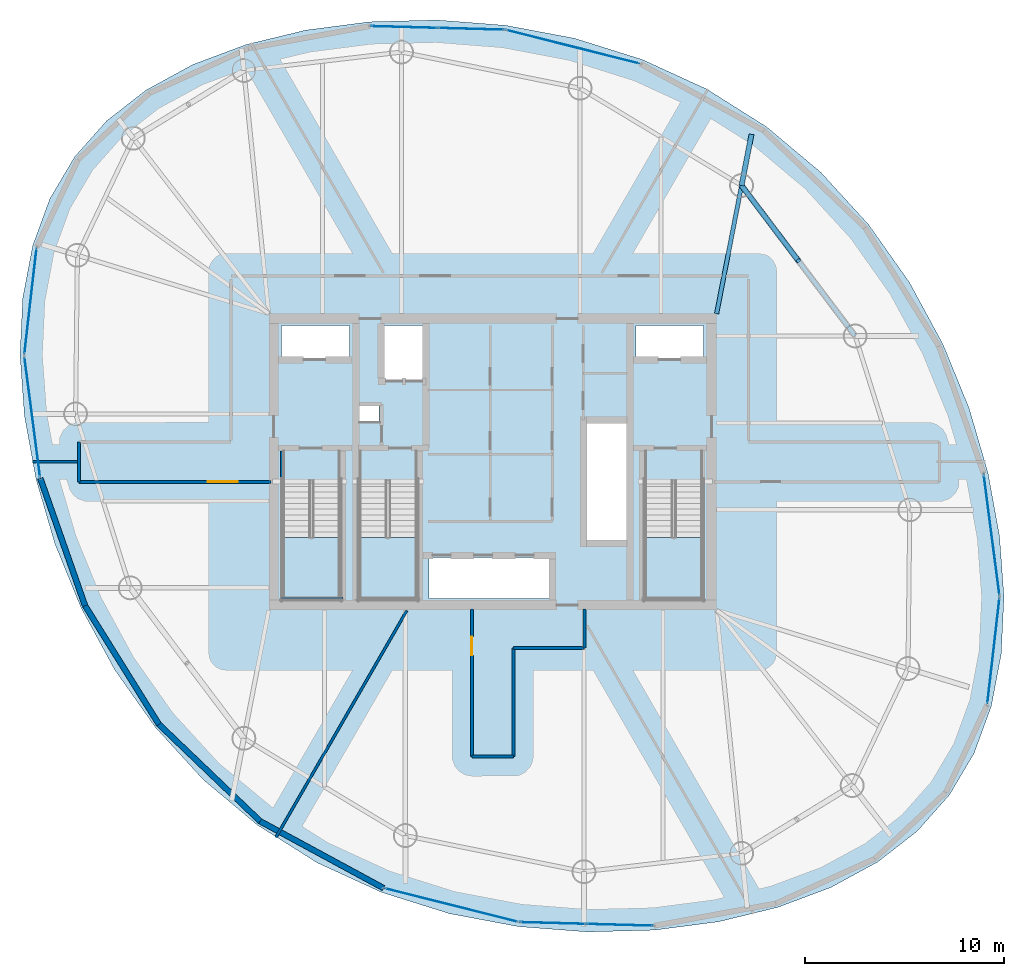
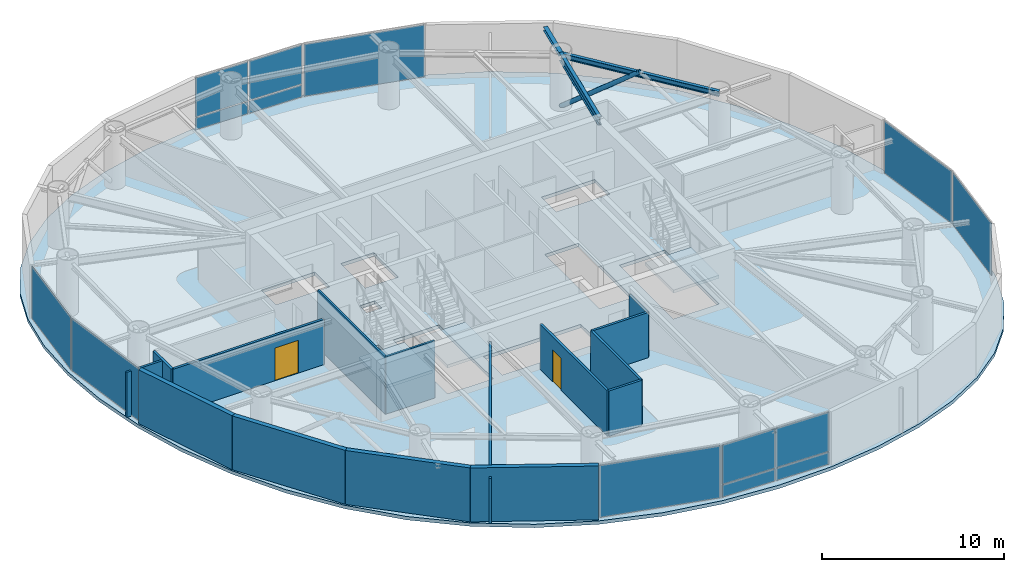
# One storey, part 13 of 20: 15 walls, 14 plates, 4 slabs, 3 beams, 2 doors, 1 member, 2 openings, 11 elements without a shape of their own.
"""IFC4 building model written with IfcOpenShell, lengths in metres."""

from ifc_helpers import new_model, si_unit, direction, frame, frame_2d, origin, origin_2d, place, context, subcontext, project, spatial, polyline, rectangle, hollow_circle, i_section, outline, extrude, material, layer, layer_set, material_profile, profile_set, type_object, element, fill, aggregate, save


model = new_model("IFC4")

# Units and contexts
model_context = context("Model", 3, precision=1e-05, world=origin(), true_north=direction((0.0, 1.0)))
body_context = subcontext(model_context, "Body", "Model", "MODEL_VIEW")
ifc_project = project(units=[si_unit("LENGTHUNIT", "METRE"), si_unit("AREAUNIT", "SQUARE_METRE"), si_unit("VOLUMEUNIT", "CUBIC_METRE"), si_unit("PLANEANGLEUNIT", "RADIAN"), si_unit("MASSUNIT", "GRAM", prefix="KILO")], contexts=[model_context])

# Site, building, storey
site_placement = place(None, origin())
site = spatial("IfcSite", under=ifc_project, at=site_placement, CompositionType="ELEMENT")
building_placement = place(site_placement, origin())
building = spatial("IfcBuilding", under=site, at=building_placement, Name="Bramvorn Convention Spire", CompositionType="ELEMENT")
storey_placement = place(building_placement, frame((0.0, 0.0, 175.050048828125)))
storey = spatial("IfcBuildingStorey", under=building, at=storey_placement, Name="L44", CompositionType="ELEMENT", Elevation=175.050048828125)

# Beams
ifc_material_1 = material(Name="Steel CSA G40.21 Grade 350 (350W)", Category="steel")
ifc_material_profile_1 = material_profile(ifc_material_1, i_section(OverallWidth=0.25390625, OverallDepth=0.2529296875, WebThickness=0.008544921875, FlangeThickness=0.01416015625, FilletRadius=0.011962890625, at=origin_2d()))
ifc_profile_set_1 = profile_set([ifc_material_profile_1], Name="Steel CSA G40.21 Grade 350 (350W) - W250X73")
beam_type_1 = type_object("IfcBeamType", Name="BM-W250X73", PredefinedType="BEAM", material=ifc_profile_set_1)
beam_1_placement = place(storey_placement, frame((50.501953125, 39.885009765625, 3.493408203125), z_axis=(0.191044176566, 0.981581439617, 0.0), x_axis=(-0.981581439617, 0.191044176566, 0.0)))
element("IfcBeam", 1, at=beam_1_placement, inside=storey, type_object=beam_type_1, Name="L44 slab-edge cantilever tip beam MC05", PredefinedType="BEAM", context=body_context, shape_type="SweptSolid", body=[
    extrude(i_section(OverallWidth=0.25390625, OverallDepth=0.2529296875, WebThickness=0.008544921875, FlangeThickness=0.01416015625, FilletRadius=0.011962890625, at=origin_2d()), origin(), (0.0, 0.0, 1.0), 2.62109375),
])
ifc_material_profile_2 = material_profile(ifc_material_1, i_section(OverallWidth=0.205078125, OverallDepth=0.35400390625, WebThickness=0.009521484375, FlangeThickness=0.016845703125, FilletRadius=0.014892578125, at=origin_2d()))
ifc_profile_set_2 = profile_set([ifc_material_profile_2], Name="Steel CSA G40.21 Grade 350 (350W) - W360X79")
beam_type_2 = type_object("IfcBeamType", Name="BM-W360X79", PredefinedType="JOIST", material=ifc_profile_set_2)
beam_2_placement = place(storey_placement, frame((56.21044921875, 32.327392578125, 3.44287109375), z_axis=(-0.602718581414, 0.797953827999, 0.0), x_axis=(-0.797953827999, -0.602718581414, 0.0)))
element("IfcBeam", 2, at=beam_2_placement, inside=storey, type_object=beam_type_2, Name="L44 mega-column ring beam 04", PredefinedType="JOIST", context=body_context, shape_type="SweptSolid", body=[
    extrude(i_section(OverallWidth=0.205078125, OverallDepth=0.35400390625, WebThickness=0.009521484375, FlangeThickness=0.016845703125, FilletRadius=0.014892578125, at=origin_2d()), origin(), (0.0, 0.0, 1.0), 9.47119140625),
])
ifc_material_profile_3 = material_profile(ifc_material_1, i_section(OverallWidth=0.2119140625, OverallDepth=0.5439453125, WebThickness=0.01318359375, FlangeThickness=0.021240234375, FilletRadius=0.01904296875, at=origin_2d()))
ifc_profile_set_3 = profile_set([ifc_material_profile_3], Name="Steel CSA G40.21 Grade 350 (350W) - W530X123")
beam_type_3 = type_object("IfcBeamType", Name="BM-W530X123", PredefinedType="BEAM", material=ifc_profile_set_3)
beam_3_placement = place(storey_placement, frame((49.25, 33.449951171875, 3.347900390625), z_axis=(0.190971329886, 0.981595614885, 0.0), x_axis=(-0.981595614885, 0.190971329886, 0.0)))
element("IfcBeam", 3, at=beam_3_placement, inside=storey, type_object=beam_type_3, Name="L44 radial floor girder MC05", PredefinedType="BEAM", context=body_context, shape_type="SweptSolid", body=[
    extrude(i_section(OverallWidth=0.2119140625, OverallDepth=0.5439453125, WebThickness=0.01318359375, FlangeThickness=0.021240234375, FilletRadius=0.01904296875, at=origin_2d()), origin(), (0.0, 0.0, 1.0), 6.5556640625),
])

# Member
ifc_material_profile_4 = material_profile(ifc_material_1, hollow_circle(Radius=0.136474609375, WallThickness=0.0126953125, at=origin_2d()))
ifc_profile_set_4 = profile_set([ifc_material_profile_4], Name="Steel CSA G40.21 Grade 350 (350W) - CHS273X13")
member_type = type_object("IfcMemberType", Name="MBR-CHS273X13", PredefinedType="BRACE", material=ifc_profile_set_4)
member_placement = place(storey_placement, frame((50.501953125, 39.885009765625, 0.0), z_axis=(0.478846711924, -0.633956839206, 0.607292806235), x_axis=(0.797953827999, 0.602718581414, 0.0)))
element("IfcMember", 4, at=member_placement, inside=storey, type_object=member_type, Name="L44 perimeter Gothic lancet brace 4B", PredefinedType="BRACE", context=body_context, shape_type="SweptSolid", body=[
    extrude(hollow_circle(Radius=0.136474609375, WallThickness=0.0126953125, at=origin_2d()), origin(), (0.0, 0.0, 1.0), 5.960693359375),
])

# Curtain wall, plate
ifc_material_2 = material(Name="Anodised Bronze Unitised Curtain Wall", Category="aluminium")
ifc_layer_1 = layer(ifc_material_2, 0.179931640625)
ifc_layer_set_1 = layer_set([ifc_layer_1], Name="Anodised Bronze Unitised Curtain Wall - CW-OFF-FRIT")
curtain_wall_type = type_object("IfcCurtainWallType", Name="CW-OFF-FRIT", PredefinedType="USERDEFINED", material=ifc_layer_set_1)
curtain_wall_1_placement = place(storey_placement, origin())
curtain_wall_1 = element("IfcCurtainWall", 5, at=curtain_wall_1_placement, inside=storey, type_object=curtain_wall_type, Name="L44 fritted glass curtain wall 02", ObjectType="UNITISED CURTAIN WALL", PredefinedType="USERDEFINED")
ifc_material_3 = material(Name="Laminated Low-E Glass (Triple IGU Solar Bronze Frit 28%)", Category="glass")
ifc_layer_2 = layer(ifc_material_3, 0.0400390625)
ifc_layer_set_2 = layer_set([ifc_layer_2], Name="Laminated Low-E Glass (Triple IGU Solar Bronze Frit 28%) - PNL-IGU-3")
plate_type = type_object("IfcPlateType", Name="PNL-IGU-3", PredefinedType="CURTAIN_PANEL", material=ifc_layer_set_2)
plate_1_placement = place(storey_placement, frame((63.159423828125, 16.521728515625, 0.06005859375), z_axis=(0.0, 0.0, 1.0), x_axis=(-0.114007982536, -0.993479833675, 0.0)))
plate_1 = element("IfcPlate", 6, at=plate_1_placement, type_object=plate_type, Name="CW3 panel 1.1", PredefinedType="CURTAIN_PANEL", context=body_context, shape_type="SweptSolid", body=[
    extrude(rectangle(XDim=5.344482421875, YDim=0.028076171875, at=origin_2d()), origin(), (0.0, 0.0, 1.0), 3.5),
])
aggregate(curtain_wall_1, [plate_1])

curtain_wall_2_placement = place(storey_placement, origin())
curtain_wall_2 = element("IfcCurtainWall", 7, at=curtain_wall_2_placement, inside=storey, type_object=curtain_wall_type, Name="L44 fritted glass curtain wall 03", ObjectType="UNITISED CURTAIN WALL", PredefinedType="USERDEFINED")
plate_2_placement = place(storey_placement, frame((63.06884765625, 22.323486328125, 0.06005859375), z_axis=(0.0, 0.0, 1.0), x_axis=(0.129158605696, -0.991623948165, 0.0)))
plate_2 = element("IfcPlate", 8, at=plate_2_placement, type_object=plate_type, Name="CW3 panel 1.1", PredefinedType="CURTAIN_PANEL", context=body_context, shape_type="SweptSolid", body=[
    extrude(rectangle(XDim=6.1064453125, YDim=0.028076171875, at=origin_2d()), origin(), (0.0, 0.0, 1.0), 3.5),
])
aggregate(curtain_wall_2, [plate_2])

curtain_wall_3_placement = place(storey_placement, origin())
curtain_wall_3 = element("IfcCurtainWall", 9, at=curtain_wall_3_placement, inside=storey, type_object=curtain_wall_type, Name="L44 fritted glass curtain wall 08", ObjectType="UNITISED CURTAIN WALL", PredefinedType="USERDEFINED")
plate_3_placement = place(storey_placement, frame((42.0224609375, 46.85302734375, 0.06005859375), z_axis=(0.0, 0.0, 1.0), x_axis=(0.969829036049, -0.24378605546, 0.0)))
plate_3 = element("IfcPlate", 10, at=plate_3_placement, type_object=plate_type, Name="CW3 panel 1.1", PredefinedType="CURTAIN_PANEL", context=body_context, shape_type="SweptSolid", body=[
    extrude(rectangle(XDim=6.897705078125, YDim=0.028076171875, at=origin_2d()), origin(), (0.0, 0.0, 1.0), 3.5),
])
aggregate(curtain_wall_3, [plate_3])

# Curtain wall, plates
curtain_wall_4_placement = place(storey_placement, origin())
curtain_wall_4 = element("IfcCurtainWall", 11, at=curtain_wall_4_placement, inside=storey, type_object=curtain_wall_type, Name="L44 fritted glass curtain wall 09", ObjectType="UNITISED CURTAIN WALL", PredefinedType="USERDEFINED")
plate_4_placement = place(storey_placement, frame((33.548095703125, 47.845458984375, 0.059814453125), z_axis=(0.0, 0.0, 1.0), x_axis=(0.999635754842, -0.026988101849, 0.0)))
plate_4 = element("IfcPlate", 12, at=plate_4_placement, type_object=plate_type, Name="CW3 panel 1.1", PredefinedType="CURTAIN_PANEL", context=body_context, shape_type="SweptSolid", body=[
    extrude(rectangle(XDim=3.30224609375, YDim=0.028076171875, at=origin_2d()), origin(), (0.0, 0.0, 1.0), 0.81005859375),
])
plate_5_placement = place(storey_placement, frame((33.548095703125, 47.845458984375, 0.929931640625), z_axis=(0.0, 0.0, 1.0), x_axis=(0.999635754842, -0.026988101849, 0.0)))
plate_5 = element("IfcPlate", 13, at=plate_5_placement, type_object=plate_type, Name="CW3 panel 1.2", PredefinedType="CURTAIN_PANEL", context=body_context, shape_type="SweptSolid", body=[
    extrude(rectangle(XDim=3.30224609375, YDim=0.028076171875, at=origin_2d()), origin(), (0.0, 0.0, 1.0), 2.6298828125),
])
plate_6_placement = place(storey_placement, frame((36.908935546875, 47.754638671875, 0.059814453125), z_axis=(0.0, 0.0, 1.0), x_axis=(0.999635754842, -0.026988101849, 0.0)))
plate_6 = element("IfcPlate", 14, at=plate_6_placement, type_object=plate_type, Name="CW3 panel 2.1", PredefinedType="CURTAIN_PANEL", context=body_context, shape_type="SweptSolid", body=[
    extrude(rectangle(XDim=3.30224609375, YDim=0.028076171875, at=origin_2d()), origin(), (0.0, 0.0, 1.0), 0.81005859375),
])
plate_7_placement = place(storey_placement, frame((36.908935546875, 47.754638671875, 0.929931640625), z_axis=(0.0, 0.0, 1.0), x_axis=(0.999635754842, -0.026988101849, 0.0)))
plate_7 = element("IfcPlate", 15, at=plate_7_placement, type_object=plate_type, Name="CW3 panel 2.2", PredefinedType="CURTAIN_PANEL", context=body_context, shape_type="SweptSolid", body=[
    extrude(rectangle(XDim=3.30224609375, YDim=0.028076171875, at=origin_2d()), origin(), (0.0, 0.0, 1.0), 2.6298828125),
])
aggregate(curtain_wall_4, [plate_4, plate_5, plate_6, plate_7])

# Curtain wall, plate
curtain_wall_5_placement = place(storey_placement, origin())
curtain_wall_5 = element("IfcCurtainWall", 16, at=curtain_wall_5_placement, inside=storey, type_object=curtain_wall_type, Name="L44 fritted glass curtain wall 14", ObjectType="UNITISED CURTAIN WALL", PredefinedType="USERDEFINED")
plate_8_placement = place(storey_placement, frame((14.77978515625, 34.06396484375, 0.06005859375), z_axis=(0.0, 0.0, 1.0), x_axis=(0.114007982536, 0.993479833675, 0.0)))
plate_8 = element("IfcPlate", 17, at=plate_8_placement, type_object=plate_type, Name="CW3 panel 1.1", PredefinedType="CURTAIN_PANEL", context=body_context, shape_type="SweptSolid", body=[
    extrude(rectangle(XDim=5.344482421875, YDim=0.028076171875, at=origin_2d()), origin(), (0.0, 0.0, 1.0), 3.5),
])
aggregate(curtain_wall_5, [plate_8])

curtain_wall_6_placement = place(storey_placement, origin())
curtain_wall_6 = element("IfcCurtainWall", 18, at=curtain_wall_6_placement, inside=storey, type_object=curtain_wall_type, Name="L44 fritted glass curtain wall 15", ObjectType="UNITISED CURTAIN WALL", PredefinedType="USERDEFINED")
plate_9_placement = place(storey_placement, frame((14.870361328125, 28.262451171875, 0.06005859375), z_axis=(0.0, 0.0, 1.0), x_axis=(-0.129160662697, 0.991623680239, 0.0)))
plate_9 = element("IfcPlate", 19, at=plate_9_placement, type_object=plate_type, Name="CW3 panel 1.1", PredefinedType="CURTAIN_PANEL", context=body_context, shape_type="SweptSolid", body=[
    extrude(rectangle(XDim=6.1064453125, YDim=0.028076171875, at=origin_2d()), origin(), (0.0, 0.0, 1.0), 3.5),
])
aggregate(curtain_wall_6, [plate_9])

curtain_wall_7_placement = place(storey_placement, origin())
curtain_wall_7 = element("IfcCurtainWall", 20, at=curtain_wall_7_placement, inside=storey, type_object=curtain_wall_type, Name="L44 fritted glass curtain wall 20", ObjectType="UNITISED CURTAIN WALL", PredefinedType="USERDEFINED")
plate_10_placement = place(storey_placement, frame((35.916748046875, 3.73291015625, 0.06005859375), z_axis=(0.0, 0.0, 1.0), x_axis=(-0.969829036049, 0.24378605546, 0.0)))
plate_10 = element("IfcPlate", 21, at=plate_10_placement, type_object=plate_type, Name="CW3 panel 1.1", PredefinedType="CURTAIN_PANEL", context=body_context, shape_type="SweptSolid", body=[
    extrude(rectangle(XDim=6.897705078125, YDim=0.028076171875, at=origin_2d()), origin(), (0.0, 0.0, 1.0), 3.5),
])
aggregate(curtain_wall_7, [plate_10])

# Curtain wall, plates
curtain_wall_8_placement = place(storey_placement, origin())
curtain_wall_8 = element("IfcCurtainWall", 22, at=curtain_wall_8_placement, inside=storey, type_object=curtain_wall_type, Name="L44 fritted glass curtain wall 21", ObjectType="UNITISED CURTAIN WALL", PredefinedType="USERDEFINED")
plate_11_placement = place(storey_placement, frame((44.39111328125, 2.740478515625, 0.059814453125), z_axis=(0.0, 0.0, 1.0), x_axis=(-0.999635754842, 0.026988101849, 0.0)))
plate_11 = element("IfcPlate", 23, at=plate_11_placement, type_object=plate_type, Name="CW3 panel 1.1", PredefinedType="CURTAIN_PANEL", context=body_context, shape_type="SweptSolid", body=[
    extrude(rectangle(XDim=3.30224609375, YDim=0.028076171875, at=origin_2d()), origin(), (0.0, 0.0, 1.0), 0.81005859375),
])
plate_12_placement = place(storey_placement, frame((44.39111328125, 2.740478515625, 0.929931640625), z_axis=(0.0, 0.0, 1.0), x_axis=(-0.999635754842, 0.026988101849, 0.0)))
plate_12 = element("IfcPlate", 24, at=plate_12_placement, type_object=plate_type, Name="CW3 panel 1.2", PredefinedType="CURTAIN_PANEL", context=body_context, shape_type="SweptSolid", body=[
    extrude(rectangle(XDim=3.30224609375, YDim=0.028076171875, at=origin_2d()), origin(), (0.0, 0.0, 1.0), 2.6298828125),
])
plate_13_placement = place(storey_placement, frame((41.0302734375, 2.831298828125, 0.059814453125), z_axis=(0.0, 0.0, 1.0), x_axis=(-0.999635754842, 0.026988101849, 0.0)))
plate_13 = element("IfcPlate", 25, at=plate_13_placement, type_object=plate_type, Name="CW3 panel 2.1", PredefinedType="CURTAIN_PANEL", context=body_context, shape_type="SweptSolid", body=[
    extrude(rectangle(XDim=3.30224609375, YDim=0.028076171875, at=origin_2d()), origin(), (0.0, 0.0, 1.0), 0.81005859375),
])
plate_14_placement = place(storey_placement, frame((41.0302734375, 2.831298828125, 0.929931640625), z_axis=(0.0, 0.0, 1.0), x_axis=(-0.999635754842, 0.026988101849, 0.0)))
plate_14 = element("IfcPlate", 26, at=plate_14_placement, type_object=plate_type, Name="CW3 panel 2.2", PredefinedType="CURTAIN_PANEL", context=body_context, shape_type="SweptSolid", body=[
    extrude(rectangle(XDim=3.30224609375, YDim=0.028076171875, at=origin_2d()), origin(), (0.0, 0.0, 1.0), 2.6298828125),
])
aggregate(curtain_wall_8, [plate_11, plate_12, plate_13, plate_14])

# Stair, slab
ifc_material_4 = material(Name="Concrete C40/50 Precast Stair", Category="concrete")
stair_type = type_object("IfcStairType", Name="ST-TOWER-1550", PredefinedType="HALF_TURN_STAIR", material=ifc_material_4)
stair_1_placement = place(storey_placement, origin())
stair_1 = element("IfcStair", 27, at=stair_1_placement, inside=storey, type_object=stair_type, Name="L44 Protected Exit Stair ST1", PredefinedType="HALF_TURN_STAIR")
ifc_material_5 = material(Name="Concrete C40/50 Stair Landing", Category="concrete")
ifc_layer_3 = layer(ifc_material_5, 0.219970703125)
ifc_layer_set_3 = layer_set([ifc_layer_3], Name="Concrete C40/50 Stair Landing - SLB-STAIR-LANDING")
slab_type_1 = type_object("IfcSlabType", Name="SLB-STAIR-LANDING", PredefinedType="LANDING", material=ifc_layer_set_3)
slab_1_placement = place(storey_placement, frame((0.0, 0.0, 1.724853515625)))
slab_1 = element("IfcSlab", 28, at=slab_1_placement, type_object=slab_type_1, Name="ST1 landing 1", PredefinedType="LANDING", context=body_context, shape_type="SweptSolid", body=[
    extrude(outline(polyline([(27.449951171875, 22.199951171875), (27.449951171875, 19.10009765625), (30.35009765625, 19.10009765625), (30.35009765625, 22.199951171875), (27.449951171875, 22.199951171875)])), origin(), (0.0, 0.0, 1.0), 0.2001953125),
])
aggregate(stair_1, [slab_1])

stair_2_placement = place(storey_placement, origin())
stair_2 = element("IfcStair", 29, at=stair_2_placement, inside=storey, type_object=stair_type, Name="L44 Protected Exit Stair ST2", PredefinedType="HALF_TURN_STAIR")
slab_2_placement = place(storey_placement, frame((0.0, 0.0, 1.724853515625)))
slab_2 = element("IfcSlab", 30, at=slab_2_placement, type_object=slab_type_1, Name="ST2 landing 1", PredefinedType="LANDING", context=body_context, shape_type="SweptSolid", body=[
    extrude(outline(polyline([(45.64990234375, 22.199951171875), (45.64990234375, 19.10009765625), (48.550048828125, 19.10009765625), (48.550048828125, 22.199951171875), (45.64990234375, 22.199951171875)])), origin(), (0.0, 0.0, 1.0), 0.2001953125),
])
aggregate(stair_2, [slab_2])

stair_3_placement = place(storey_placement, origin())
stair_3 = element("IfcStair", 31, at=stair_3_placement, inside=storey, type_object=stair_type, Name="L44 Protected Exit Stair ST3", PredefinedType="HALF_TURN_STAIR")
slab_3_placement = place(storey_placement, frame((0.0, 0.0, 1.724853515625)))
slab_3 = element("IfcSlab", 32, at=slab_3_placement, type_object=slab_type_1, Name="ST3 landing 1", PredefinedType="LANDING", context=body_context, shape_type="SweptSolid", body=[
    extrude(outline(polyline([(31.300048828125, 22.199951171875), (31.300048828125, 19.10009765625), (34.199951171875, 19.10009765625), (34.199951171875, 22.199951171875), (31.300048828125, 22.199951171875)])), origin(), (0.0, 0.0, 1.0), 0.2001953125),
])
aggregate(stair_3, [slab_3])

# Slab
ifc_material_6 = material(Name="Concrete C40/50", Category="concrete")
ifc_layer_4 = layer(ifc_material_6, 0.22998046875)
ifc_layer_set_4 = layer_set([ifc_layer_4], Name="Concrete C40/50 - SLB-Z3-230")
slab_type_2 = type_object("IfcSlabType", Name="SLB-Z3-230", PredefinedType="FLOOR", material=ifc_layer_set_4)
slab_4_placement = place(storey_placement, frame((0.0, 0.0, -0.22998046875)))
element("IfcSlab", 33, at=slab_4_placement, inside=storey, type_object=slab_type_2, Name="L44 tower floor slab", PredefinedType="FLOOR", context=body_context, shape_type="SweptSolid", body=[
    extrude(outline(polyline([(60.947021484375, 9.266845703125), (62.185302734375, 11.35986328125), (63.05078125, 13.72509765625), (63.5498046875, 16.35009765625), (63.68701171875, 19.20947265625), (63.465576171875, 22.260498046875), (62.884033203125, 25.444580078125), (61.938720703125, 28.688232421875), (60.624755859375, 31.9072265625), (58.940185546875, 35.01318359375), (56.8896484375, 37.919189453125), (54.487060546875, 40.547119140625), (51.760009765625, 42.832763671875), (48.749755859375, 44.730712890625), (45.51318359375, 46.21484375), (42.119384765625, 47.279052734375), (38.6474609375, 47.933349609375), (35.1806640625, 48.200439453125), (31.803466796875, 48.10888671875), (28.593994140625, 47.689208984375), (25.62109375, 46.967529296875), (22.94091796875, 45.962646484375), (20.593994140625, 44.685302734375), (18.606689453125, 43.137939453125), (16.9921875, 41.319091796875), (15.75390625, 39.22607421875), (14.88818359375, 36.86083984375), (14.389404296875, 34.23583984375), (14.252197265625, 31.37646484375), (14.4736328125, 28.325439453125), (15.05517578125, 25.141357421875), (16.00048828125, 21.897705078125), (17.314453125, 18.6787109375), (18.998779296875, 15.57275390625), (21.049560546875, 12.666748046875), (23.4521484375, 10.038818359375), (26.17919921875, 7.753173828125), (29.189453125, 5.855224609375), (32.42578125, 4.37109375), (35.819580078125, 3.306884765625), (39.291748046875, 2.652587890625), (42.75830078125, 2.385498046875), (46.1357421875, 2.476806640625), (49.34521484375, 2.896484375), (52.31787109375, 3.618408203125), (54.998291015625, 4.623291015625), (57.34521484375, 5.900634765625), (59.33251953125, 7.447998046875), (60.947021484375, 9.266845703125)]), holes=[polyline([(27.449951171875, 25.050048828125), (27.449951171875, 19.10009765625), (30.35009765625, 19.10009765625), (30.35009765625, 25.050048828125), (27.449951171875, 25.050048828125)]), polyline([(45.64990234375, 25.050048828125), (45.64990234375, 19.10009765625), (48.550048828125, 19.10009765625), (48.550048828125, 25.050048828125), (45.64990234375, 25.050048828125)]), polyline([(31.300048828125, 25.050048828125), (31.300048828125, 19.10009765625), (34.199951171875, 19.10009765625), (34.199951171875, 25.050048828125), (31.300048828125, 25.050048828125)]), polyline([(27.39990234375, 31.219970703125), (30.800048828125, 31.219970703125), (30.800048828125, 32.85009765625), (27.39990234375, 32.85009765625), (27.39990234375, 31.219970703125)]), polyline([(45.199951171875, 31.219970703125), (48.60009765625, 31.219970703125), (48.60009765625, 32.85009765625), (45.199951171875, 32.85009765625), (45.199951171875, 31.219970703125)]), polyline([(32.449951171875, 30.14990234375), (34.56005859375, 30.14990234375), (34.56005859375, 32.85009765625), (32.449951171875, 32.85009765625), (32.449951171875, 30.14990234375)]), polyline([(34.800048828125, 19.14990234375), (40.97998046875, 19.14990234375), (40.97998046875, 21.199951171875), (34.800048828125, 21.199951171875), (34.800048828125, 19.14990234375)]), polyline([(42.6201171875, 22.0), (44.75, 22.0), (44.75, 28.0), (42.6201171875, 28.0), (42.6201171875, 22.0)]), polyline([(31.320068359375, 28.02001953125), (32.280029296875, 28.02001953125), (32.280029296875, 28.820068359375), (31.320068359375, 28.820068359375), (31.320068359375, 28.02001953125)])]), origin(), (0.0, 0.0, 1.0), 0.22998046875),
])

# Walls
ifc_material_7 = material(Name="Precast Concrete C40/50 with Bronze Terracotta Rainscreen", Category="masonry")
ifc_layer_5 = layer(ifc_material_7, 0.300048828125)
ifc_layer_set_5 = layer_set([ifc_layer_5], Name="Precast Concrete C40/50 with Bronze Terracotta Rainscreen - WL-EXT-BRONZE-300")
wall_type_1 = type_object("IfcWallType", Name="WL-EXT-BRONZE-300", PredefinedType="SOLIDWALL", material=ifc_layer_set_5)
wall_1_placement = place(storey_placement, frame((17.52001953125, 18.77392578125, 0.0), z_axis=(0.0, 0.0, 1.0), x_axis=(-0.331279949487, 0.94353250875, 0.0)))
element("IfcWall", 34, at=wall_1_placement, inside=storey, type_object=wall_type_1, Name="L44 expressed bronze Gothic lancet pier wall 16", PredefinedType="SOLIDWALL", context=body_context, shape_type="SweptSolid", body=[
    extrude(rectangle(XDim=6.784423828125, YDim=0.280029296875, at=frame_2d((3.39208984375, 0.0))), origin(), (0.0, 0.0, 1.0), 3.619873046875),
])
wall_2_placement = place(storey_placement, frame((21.2294921875, 12.81689453125, 0.0), z_axis=(0.0, 0.0, 1.0), x_axis=(-0.528597240485, 0.848872756867, 0.0)))
element("IfcWall", 35, at=wall_2_placement, inside=storey, type_object=wall_type_1, Name="L44 expressed bronze Gothic lancet pier wall 17", PredefinedType="SOLIDWALL", context=body_context, shape_type="SweptSolid", body=[
    extrude(rectangle(XDim=7.017578125, YDim=0.280029296875, at=frame_2d((3.5087890625, 0.0))), origin(), (0.0, 0.0, 1.0), 3.619873046875),
])
for number, where, z_axis, x_axis, name in (
    (36, (26.3193359375, 7.945068359375, 0.0), (0.0, 0.0, 1.0), (-0.722409280023, 0.691465712915, 0.0), "L44 expressed bronze Gothic lancet pier wall 18"),
    (37, (32.513916015625, 4.588134765625, 0.0), (0.0, 0.0, 1.0), (-0.879200648398, 0.476451697295, 0.0), "L44 expressed bronze Gothic lancet pier wall 19"),
):
    element("IfcWall", number, at=place(storey_placement, frame(where, z_axis=z_axis, x_axis=x_axis)), inside=storey, type_object=wall_type_1, Name=name, PredefinedType="SOLIDWALL", context=body_context, shape_type="SweptSolid", body=[
        extrude(rectangle(XDim=7.045654296875, YDim=0.280029296875, at=frame_2d((3.52294921875, 0.0))), origin(), (0.0, 0.0, 1.0), 3.619873046875),
    ])
ifc_material_8 = material(Name="Metal-Stud Demountable Office Partition", Category="gypsum")
ifc_layer_6 = layer(ifc_material_8, 0.1298828125)
ifc_layer_set_6 = layer_set([ifc_layer_6], Name="Metal-Stud Demountable Office Partition - WL-PART-130")
wall_type_2 = type_object("IfcWallType", Name="WL-PART-130", PredefinedType="PARTITIONING", material=ifc_layer_set_6)
wall_3_placement = place(storey_placement, frame((17.255859375, 26.0, 0.0), z_axis=(0.0, 0.0, 1.0), x_axis=(-1.0, 0.0, 0.0)))
element("IfcWall", 38, at=wall_3_placement, inside=storey, type_object=wall_type_2, Name="L44 Tenant suite partition 4", PredefinedType="PARTITIONING", context=body_context, shape_type="SweptSolid", body=[
    extrude(rectangle(XDim=2.387939453125, YDim=0.1298828125, at=frame_2d((1.19384765625, 0.0))), origin(), (0.0, 0.0, 1.0), 3.034912109375),
])
wall_4_placement = place(storey_placement, frame((33.687255859375, 18.530029296875, 0.0), z_axis=(0.0, 0.0, 1.0), x_axis=(-0.500005024956, -0.866022502605, 0.0)))
element("IfcWall", 39, at=wall_4_placement, inside=storey, type_object=wall_type_2, Name="L44 Tenant suite partition 5", PredefinedType="PARTITIONING", context=body_context, shape_type="SweptSolid", body=[
    extrude(rectangle(XDim=13.162841796875, YDim=0.1298828125, at=frame_2d((6.58154296875, 0.0))), origin(), (0.0, 0.0, 1.0), 3.034912109375),
])

# Wall, opening, door
ifc_material_9 = material(Name="Acoustic Metal-Stud Tenant/Corridor Partition", Category="gypsum")
ifc_layer_7 = layer(ifc_material_9, 0.14990234375)
ifc_layer_set_7 = layer_set([ifc_layer_7], Name="Acoustic Metal-Stud Tenant/Corridor Partition - WL-PART-150")
wall_type_3 = type_object("IfcWallType", Name="WL-PART-150", PredefinedType="PARTITIONING", material=ifc_layer_set_7)
wall_5_placement = place(storey_placement, frame((17.2138671875, 25.0, 0.0), z_axis=(0.0, 0.0, 1.0), x_axis=(1.0, 0.0, 0.0)))
wall_5 = element("IfcWall", 40, at=wall_5_placement, inside=storey, type_object=wall_type_3, Name="L44 West wing spine south wall", PredefinedType="PARTITIONING", context=body_context, shape_type="SweptSolid", body=[
    extrude(rectangle(XDim=9.63623046875, YDim=0.14990234375, at=frame_2d((4.818115234375, 0.0))), origin(), (0.0, 0.0, 1.0), 3.034912109375),
])
opening_1_placement = place(wall_5_placement, frame((6.477294921875, 0.0, 0.0)))
opening_1 = element("IfcOpeningElement", 41, at=opening_1_placement, cuts=wall_5, Name="Opening DC-150", PredefinedType="OPENING", context=body_context, shape_type="SweptSolid", body=[
    extrude(rectangle(XDim=1.5, YDim=2.199951171875, at=frame_2d((0.75, 1.10009765625))), frame((0.0, 0.0849609375, 0.0), z_axis=(0.0, -1.0, 0.0), x_axis=(1.0, 0.0, 0.0)), (0.0, 0.0, 1.0), 0.169921875),
])
ifc_material_10 = material(Name="Double-Leaf Smoke-Control Corridor Door", Category="wood")
door_type_1 = type_object("IfcDoorType", Name="DR-COR-1500", OperationType="NOTDEFINED", PredefinedType="DOOR", material=ifc_material_10)
door_1_placement = place(opening_1_placement, origin())
door_1 = element("IfcDoor", 42, at=door_1_placement, inside=storey, type_object=door_type_1, Name="L44 Open-Plan Design Office D 4 door", OperationType="DOUBLE_DOOR_SINGLE_SWING", OverallHeight=2.199951171875, OverallWidth=1.5, PredefinedType="DOOR", context=body_context, shape_type="SweptSolid", body=[
    extrude(rectangle(XDim=1.5, YDim=2.199951171875, at=frame_2d((0.75, 1.10009765625))), frame((0.0, 0.02490234375, 0.0), z_axis=(0.0, -1.0, 0.0), x_axis=(1.0, 0.0, 0.0)), (0.0, 0.0, 1.0), 0.050048828125),
])
fill(opening_1, door_1)

# Wall
wall_6_placement = place(storey_placement, frame((17.2138671875, 25.0, 0.0), z_axis=(0.0, 0.0, 1.0), x_axis=(0.0, 1.0, 0.0)))
element("IfcWall", 43, at=wall_6_placement, inside=storey, type_object=wall_type_3, Name="L44 West wing spine end wall", PredefinedType="PARTITIONING", context=body_context, shape_type="SweptSolid", body=[
    extrude(rectangle(XDim=2.0, YDim=0.14990234375, at=frame_2d((1.0, 0.0))), origin(), (0.0, 0.0, 1.0), 3.034912109375),
])

# Wall, opening, door
wall_7_placement = place(storey_placement, frame((36.949951171875, 11.199951171875, 0.0), z_axis=(0.0, 0.0, 1.0), x_axis=(0.0, 1.0, 0.0)))
wall_7 = element("IfcWall", 44, at=wall_7_placement, inside=storey, type_object=wall_type_3, Name="L44 South axial spine west wall", PredefinedType="PARTITIONING", context=body_context, shape_type="SweptSolid", body=[
    extrude(rectangle(XDim=7.400146484375, YDim=0.14990234375, at=frame_2d((3.7001953125, 0.0))), origin(), (0.0, 0.0, 1.0), 3.034912109375),
])
opening_2_placement = place(wall_7_placement, frame((5.074951171875, 0.0, 0.0)))
opening_2 = element("IfcOpeningElement", 45, at=opening_2_placement, cuts=wall_7, Name="Opening DH-095", PredefinedType="OPENING", context=body_context, shape_type="SweptSolid", body=[
    extrude(rectangle(XDim=0.949951171875, YDim=2.14990234375, at=frame_2d((0.47509765625, 1.074951171875))), frame((0.0, 0.0849609375, 0.0), z_axis=(0.0, -1.0, 0.0), x_axis=(1.0, 0.0, 0.0)), (0.0, 0.0, 1.0), 0.169921875),
])
ifc_material_11 = material(Name="Solid-Core Acoustic Guestroom Entry Door", Category="wood")
door_type_2 = type_object("IfcDoorType", Name="DR-HOTEL-950", OperationType="NOTDEFINED", PredefinedType="DOOR", material=ifc_material_11)
door_2_placement = place(opening_2_placement, origin())
door_2 = element("IfcDoor", 46, at=door_2_placement, inside=storey, type_object=door_type_2, Name="L44 Client Meeting Boardroom 5 door", OperationType="SINGLE_SWING_LEFT", OverallHeight=2.14990234375, OverallWidth=0.949951171875, PredefinedType="DOOR", context=body_context, shape_type="SweptSolid", body=[
    extrude(rectangle(XDim=0.949951171875, YDim=2.14990234375, at=frame_2d((0.47509765625, 1.074951171875))), frame((0.0, 0.02490234375, 0.0), z_axis=(0.0, -1.0, 0.0), x_axis=(1.0, 0.0, 0.0)), (0.0, 0.0, 1.0), 0.050048828125),
])
fill(opening_2, door_2)

# Walls
wall_8_placement = place(storey_placement, frame((39.050048828125, 11.199951171875, 0.0), z_axis=(0.0, 0.0, 1.0), x_axis=(0.0, 1.0, 0.0)))
element("IfcWall", 47, at=wall_8_placement, inside=storey, type_object=wall_type_3, Name="L44 South axial spine east wall", PredefinedType="PARTITIONING", context=body_context, shape_type="SweptSolid", body=[
    extrude(rectangle(XDim=5.449951171875, YDim=0.14990234375, at=frame_2d((2.72509765625, 0.0))), origin(), (0.0, 0.0, 1.0), 3.034912109375),
])
wall_9_placement = place(storey_placement, frame((39.050048828125, 16.64990234375, 0.0), z_axis=(0.0, 0.0, 1.0), x_axis=(1.0, 0.0, 0.0)))
element("IfcWall", 48, at=wall_9_placement, inside=storey, type_object=wall_type_3, Name="L44 South lift lobby link wall", PredefinedType="PARTITIONING", context=body_context, shape_type="SweptSolid", body=[
    extrude(rectangle(XDim=3.550048828125, YDim=0.14990234375, at=frame_2d((1.77490234375, 0.0))), origin(), (0.0, 0.0, 1.0), 3.034912109375),
])
wall_10_placement = place(storey_placement, frame((42.60009765625, 16.64990234375, 0.0), z_axis=(0.0, 0.0, 1.0), x_axis=(0.0, 1.0, 0.0)))
element("IfcWall", 49, at=wall_10_placement, inside=storey, type_object=wall_type_3, Name="L44 South lift lobby east cheek", PredefinedType="PARTITIONING", context=body_context, shape_type="SweptSolid", body=[
    extrude(rectangle(XDim=1.9501953125, YDim=0.14990234375, at=frame_2d((0.97509765625, 0.0))), origin(), (0.0, 0.0, 1.0), 3.034912109375),
])
wall_11_placement = place(storey_placement, frame((36.949951171875, 11.199951171875, 0.0), z_axis=(0.0, 0.0, 1.0), x_axis=(1.0, 0.0, 0.0)))
element("IfcWall", 50, at=wall_11_placement, inside=storey, type_object=wall_type_3, Name="L44 South axial spine end wall", PredefinedType="PARTITIONING", context=body_context, shape_type="SweptSolid", body=[
    extrude(rectangle(XDim=2.10009765625, YDim=0.14990234375, at=frame_2d((1.050048828125, 0.0))), origin(), (0.0, 0.0, 1.0), 3.034912109375),
])
ifc_material_12 = material(Name="Concrete C50/60", Category="concrete")
ifc_layer_8 = layer(ifc_material_12, 0.1201171875)
ifc_layer_set_8 = layer_set([ifc_layer_8], Name="Concrete C50/60 - WL-STAIR-RC-120")
wall_type_4 = type_object("IfcWallType", Name="WL-STAIR-RC-120", PredefinedType="SHEAR", material=ifc_layer_set_8)
wall_12_placement = place(storey_placement, frame((27.39501953125, 19.10009765625, 0.0), z_axis=(0.0, 0.0, 1.0), x_axis=(0.0, 1.0, 0.0)))
element("IfcWall", 51, at=wall_12_placement, inside=storey, type_object=wall_type_4, Name="L44 ST1 west bearing shear wall", PredefinedType="SHEAR", context=body_context, shape_type="SweptSolid", body=[
    extrude(rectangle(XDim=7.449951171875, YDim=0.1201171875, at=frame_2d((3.72509765625, 0.0))), origin(), (0.0, 0.0, 1.0), 3.849853515625),
])
wall_13_placement = place(storey_placement, frame((27.39501953125, 19.159912109375, 0.0), z_axis=(0.0, 0.0, 1.0), x_axis=(1.0, 0.0, 0.0)))
element("IfcWall", 52, at=wall_13_placement, inside=storey, type_object=wall_type_4, Name="L44 ST1 south bearing shear wall", PredefinedType="SHEAR", context=body_context, shape_type="SweptSolid", body=[
    extrude(rectangle(XDim=3.094970703125, YDim=0.1201171875, at=frame_2d((1.54736328125, 0.0))), origin(), (0.0, 0.0, 1.0), 3.849853515625),
])

save(model, "model.ifc")
